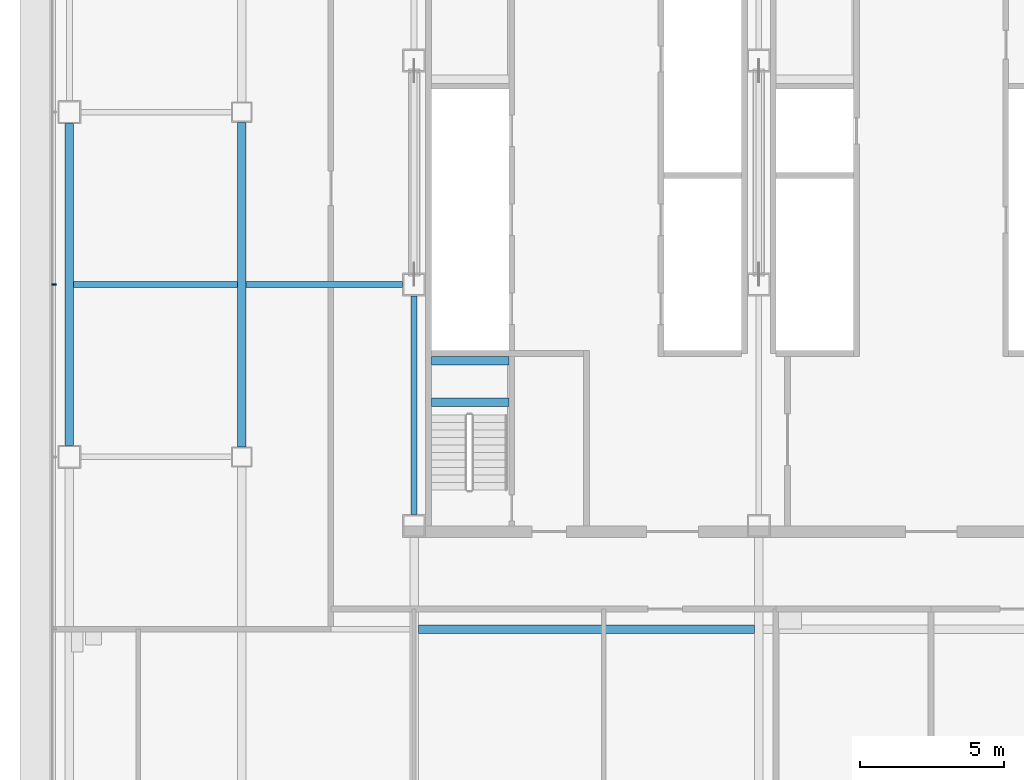
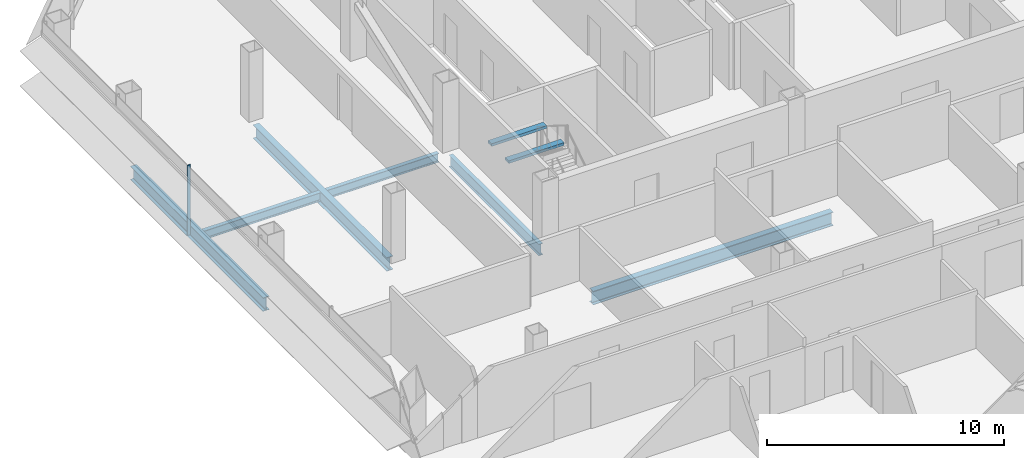
# One storey, part 6 of 25: 8 beams, 1 member, 1 element without a shape of its own.
"""IFC4 building model written with IfcOpenShell, lengths in metres."""

from ifc_helpers import new_model, si_unit, direction, frame, origin, origin_2d, place, context, subcontext, project, spatial, rectangle, i_section, extrude, material, material_profile, profile_set, type_object, element, aggregate, save


model = new_model("IFC4")

# Units and contexts
model_context = context("Model", 3, precision=1e-05, world=origin(), true_north=direction((0.0, 1.0)))
body_context = subcontext(model_context, "Body", "Model", "MODEL_VIEW")
ifc_project = project(units=[si_unit("LENGTHUNIT", "METRE"), si_unit("AREAUNIT", "SQUARE_METRE"), si_unit("VOLUMEUNIT", "CUBIC_METRE"), si_unit("PLANEANGLEUNIT", "RADIAN"), si_unit("MASSUNIT", "GRAM", prefix="KILO")], contexts=[model_context])

# Site, building, storey
site_placement = place(None, origin())
site = spatial("IfcSite", under=ifc_project, at=site_placement, CompositionType="ELEMENT")
building_placement = place(site_placement, origin())
building = spatial("IfcBuilding", under=site, at=building_placement, Name="Sorahane Residences", CompositionType="ELEMENT")
storey_placement = place(building_placement, frame((0.0, 0.0, 126.800048828125)))
storey = spatial("IfcBuildingStorey", under=building, at=storey_placement, Name="L28", CompositionType="ELEMENT", Elevation=126.800048828125)

# Curtain wall, member
ifc_material_1 = material(Name="Dark low-e glass and black anodised aluminium", Category="aluminium")
curtain_wall_type = type_object("IfcCurtainWallType", Name="Curtain wall CW-1 Typical unitised wall", PredefinedType="NOTDEFINED", material=ifc_material_1)
curtain_wall_placement = place(storey_placement, origin())
curtain_wall = element("IfcCurtainWall", 1, at=curtain_wall_placement, inside=storey, type_object=curtain_wall_type, Name="CW-1 curtain wall L28 W1", PredefinedType="NOTDEFINED")
ifc_material_2 = material(Name="Black anodised aluminium", Category="aluminium")
ifc_material_profile_1 = material_profile(ifc_material_2, rectangle(XDim=0.159912109375, YDim=0.050048828125, at=origin_2d()), Name="Curtain wall mullion CW-1 black anodised aluminium 50x160")
ifc_profile_set_1 = profile_set([ifc_material_profile_1], Name="Black anodised aluminium")
member_type = type_object("IfcMemberType", Name="Curtain wall mullion CW-1 black anodised aluminium 50x160", PredefinedType="MULLION", material=ifc_profile_set_1)
member_placement = place(storey_placement, frame((-6.5400390625, 30.0, -0.179931640625), z_axis=(0.0, 0.0, 1.0), x_axis=(-1.0, 0.0, 0.0)))
member = element("IfcMember", 2, at=member_placement, type_object=member_type, Name="CW-1 mullion L28 W1.3", PredefinedType="MULLION", context=body_context, shape_type="SweptSolid", body=[
    extrude(rectangle(XDim=0.159912109375, YDim=0.050048828125, at=origin_2d()), origin(), (0.0, 0.0, 1.0), 3.599853515625),
])
aggregate(curtain_wall, [member])

# Beams
ifc_material_3 = material(Name="Concrete C40", Category="concrete")
ifc_material_profile_2 = material_profile(ifc_material_3, rectangle(XDim=0.300048828125, YDim=0.139892578125, at=origin_2d()), Name="300x140")
ifc_profile_set_2 = profile_set([ifc_material_profile_2], Name="Concrete C40")
beam_type_1 = type_object("IfcBeamType", Name="RC landing beam 300 x 140 Concrete C40", PredefinedType="BEAM", material=ifc_profile_set_2)
for number, where, z_axis, x_axis, name in (
    (3, (6.60009765625, 25.89990234375, 1.530029296875), (1.0, 0.0, 0.0), (0.0, 1.0, 0.0), "Landing beam"),
    (4, (6.60009765625, 27.35009765625, 1.530029296875), (1.0, 0.0, 0.0), (0.0, 1.0, 0.0), "Landing beam"),
):
    element("IfcBeam", number, at=place(storey_placement, frame(where, z_axis=z_axis, x_axis=x_axis)), inside=storey, type_object=beam_type_1, Name=name, PredefinedType="BEAM", context=body_context, shape_type="SweptSolid", body=[
        extrude(rectangle(XDim=0.300048828125, YDim=0.139892578125, at=origin_2d()), origin(), (0.0, 0.0, 1.0), 2.699951171875),
    ])
ifc_material_4 = material(Name="Steel Q355B", Category="steel")
ifc_material_profile_3 = material_profile(ifc_material_4, i_section(OverallWidth=0.199951171875, OverallDepth=0.449951171875, WebThickness=0.009033203125, FlangeThickness=0.013916015625, FilletRadius=0.02001953125, at=origin_2d()), Name="HN 450x200x9x14")
ifc_profile_set_3 = profile_set([ifc_material_profile_3], Name="Steel Q355B")
beam_type_2 = type_object("IfcBeamType", Name="Steel floor beam HN 450x200x9x14 Q355B", PredefinedType="BEAM", material=ifc_profile_set_3)
beam_1_placement = place(storey_placement, frame((-5.85009765625, 30.0, -0.405029296875), z_axis=(1.0, 0.0, 0.0), x_axis=(0.0, 1.0, 0.0)))
element("IfcBeam", 5, at=beam_1_placement, inside=storey, type_object=beam_type_2, Name="Beam L28 085", PredefinedType="BEAM", context=body_context, shape_type="SweptSolid", body=[
    extrude(i_section(OverallWidth=0.199951171875, OverallDepth=0.449951171875, WebThickness=0.009033203125, FlangeThickness=0.013916015625, FilletRadius=0.02001953125, at=origin_2d()), origin(), (0.0, 0.0, 1.0), 5.7001953125),
])
beam_2_placement = place(storey_placement, frame((0.14990234375, 30.0, -0.405029296875), z_axis=(1.0, 0.0, 0.0), x_axis=(0.0, 1.0, 0.0)))
element("IfcBeam", 6, at=beam_2_placement, inside=storey, type_object=beam_type_2, Name="Beam L28 086", PredefinedType="BEAM", context=body_context, shape_type="SweptSolid", body=[
    extrude(i_section(OverallWidth=0.199951171875, OverallDepth=0.449951171875, WebThickness=0.009033203125, FlangeThickness=0.013916015625, FilletRadius=0.02001953125, at=origin_2d()), origin(), (0.0, 0.0, 1.0), 5.4501953125),
])
ifc_material_5 = material(Name="Steel Q355B", Category="steel")
ifc_material_profile_4 = material_profile(ifc_material_5, i_section(OverallWidth=0.199951171875, OverallDepth=0.60009765625, WebThickness=0.010986328125, FlangeThickness=0.01708984375, FilletRadius=0.02392578125, at=origin_2d()), Name="HN 600x200x11x17")
ifc_profile_set_4 = profile_set([ifc_material_profile_4], Name="Steel Q355B")
beam_type_3 = type_object("IfcBeamType", Name="Steel floor beam HN 600x200x11x17 Q355B", PredefinedType="BEAM", material=ifc_profile_set_4)
beam_3_placement = place(storey_placement, frame((6.0, 22.0, -0.47998046875), z_axis=(0.0, 1.0, 0.0), x_axis=(-1.0, 0.0, 0.0)))
element("IfcBeam", 7, at=beam_3_placement, inside=storey, type_object=beam_type_3, Name="Beam L28 030", PredefinedType="BEAM", context=body_context, shape_type="SweptSolid", body=[
    extrude(i_section(OverallWidth=0.199951171875, OverallDepth=0.60009765625, WebThickness=0.010986328125, FlangeThickness=0.01708984375, FilletRadius=0.02392578125, at=origin_2d()), origin(), (0.0, 0.0, 1.0), 7.60009765625),
])
ifc_material_6 = material(Name="Steel Q355B", Category="steel")
ifc_material_profile_5 = material_profile(ifc_material_6, i_section(OverallWidth=0.300048828125, OverallDepth=0.699951171875, WebThickness=0.012939453125, FlangeThickness=0.02392578125, FilletRadius=0.028076171875, at=origin_2d()), Name="HN 700x300x13x24")
ifc_profile_set_5 = profile_set([ifc_material_profile_5], Name="Steel Q355B")
beam_type_4 = type_object("IfcBeamType", Name="Steel floor beam HN 700x300x13x24 Q355B", PredefinedType="BEAM", material=ifc_profile_set_5)
beam_4_placement = place(storey_placement, frame((-6.0, 24.39990234375, -0.530029296875), z_axis=(0.0, 1.0, 0.0), x_axis=(-1.0, 0.0, 0.0)))
element("IfcBeam", 8, at=beam_4_placement, inside=storey, type_object=beam_type_4, Name="Beam L28 022", PredefinedType="BEAM", context=body_context, shape_type="SweptSolid", body=[
    extrude(i_section(OverallWidth=0.300048828125, OverallDepth=0.699951171875, WebThickness=0.012939453125, FlangeThickness=0.02392578125, FilletRadius=0.028076171875, at=origin_2d()), origin(), (0.0, 0.0, 1.0), 11.2001953125),
])
beam_5_placement = place(storey_placement, frame((0.0, 24.35009765625, -0.530029296875), z_axis=(0.0, 1.0, 0.0), x_axis=(-1.0, 0.0, 0.0)))
element("IfcBeam", 9, at=beam_5_placement, inside=storey, type_object=beam_type_4, Name="Beam L28 026", PredefinedType="BEAM", context=body_context, shape_type="SweptSolid", body=[
    extrude(i_section(OverallWidth=0.300048828125, OverallDepth=0.699951171875, WebThickness=0.012939453125, FlangeThickness=0.02392578125, FilletRadius=0.028076171875, at=origin_2d()), origin(), (0.0, 0.0, 1.0), 11.2998046875),
])
beam_6_placement = place(storey_placement, frame((6.14990234375, 18.0, -0.530029296875), z_axis=(1.0, 0.0, 0.0), x_axis=(0.0, 1.0, 0.0)))
element("IfcBeam", 10, at=beam_6_placement, inside=storey, type_object=beam_type_4, Name="Beam L28 080", PredefinedType="BEAM", context=body_context, shape_type="SweptSolid", body=[
    extrude(i_section(OverallWidth=0.300048828125, OverallDepth=0.699951171875, WebThickness=0.012939453125, FlangeThickness=0.02392578125, FilletRadius=0.028076171875, at=origin_2d()), origin(), (0.0, 0.0, 1.0), 11.7001953125),
])

save(model, "model.ifc")
